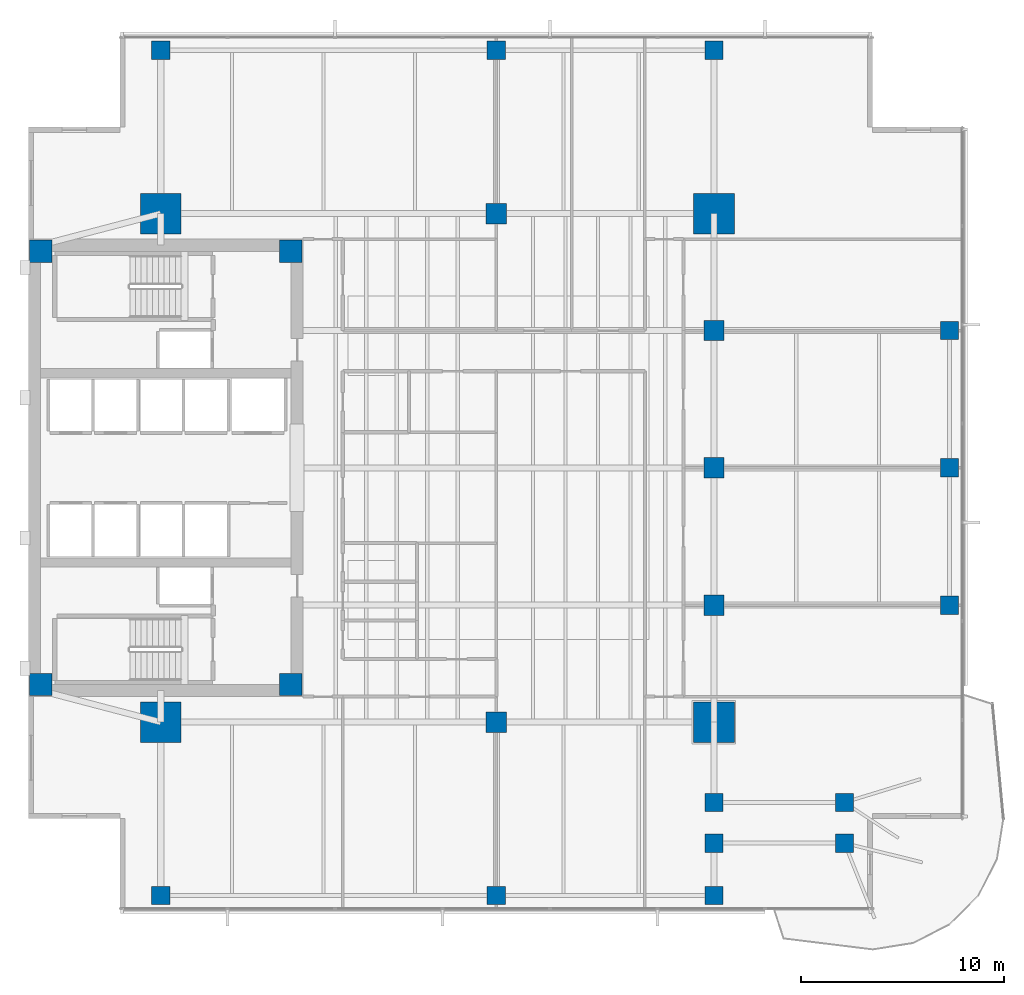
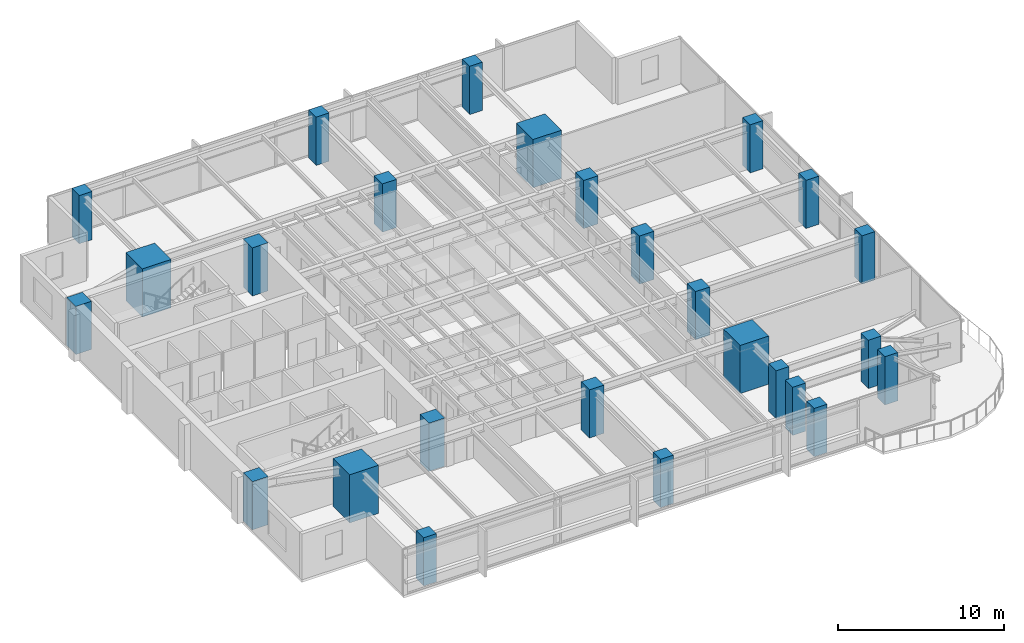
# One storey, part 1 of 14: 26 columns.
"""IFC4 building model written with IfcOpenShell, lengths in metres."""

from ifc_helpers import new_model, si_unit, direction, frame, origin, origin_2d, place, context, subcontext, project, spatial, rectangle, extrude, material, material_profile, profile_set, type_object, element, save


model = new_model("IFC4")

# Units and contexts
model_context = context("Model", 3, precision=1e-05, world=origin(), true_north=direction((0.0, 1.0)))
body_context = subcontext(model_context, "Body", "Model", "MODEL_VIEW")
ifc_project = project(units=[si_unit("LENGTHUNIT", "METRE"), si_unit("AREAUNIT", "SQUARE_METRE"), si_unit("VOLUMEUNIT", "CUBIC_METRE"), si_unit("PLANEANGLEUNIT", "RADIAN"), si_unit("MASSUNIT", "GRAM", prefix="KILO")], contexts=[model_context])

# Site, building, storey
site_placement = place(None, origin())
site = spatial("IfcSite", under=ifc_project, at=site_placement, CompositionType="ELEMENT")
building_placement = place(site_placement, origin())
building = spatial("IfcBuilding", under=site, at=building_placement, Name="Kinhvarn Gate Tower", CompositionType="ELEMENT")
storey_placement = place(building_placement, frame((0.0, 0.0, 151.949951171875)))
storey = spatial("IfcBuildingStorey", under=building, at=storey_placement, Name="L40", CompositionType="ELEMENT", Elevation=151.949951171875)

# Columns
ifc_material = material(Name="Concrete C60/75", Category="concrete")
ifc_material_profile_1 = material_profile(ifc_material, rectangle(XDim=2.0, YDim=2.0, at=origin_2d()), Name="RC 2000x2000")
ifc_profile_set_1 = profile_set([ifc_material_profile_1], Name="Concrete C60/75")
column_type_1 = type_object("IfcColumnType", Name="COL-MC-2000", PredefinedType="COLUMN", material=ifc_profile_set_1)
for number, where, z_axis, x_axis, name in (
    (1, (11.0, 12.75, 0.0), (0.0, 0.0, 1.0), (1.0, 0.0, 0.0), "Column MC1-L40 (MC-20)"),
    (2, (11.0, 37.75, 0.0), (0.0, 0.0, 1.0), (1.0, 0.0, 0.0), "Column MC4-L40 (MC-20)"),
    (3, (38.199951171875, 12.75, 0.0), (0.0, 0.0, 1.0), (1.0, 0.0, 0.0), "Column MC2-L40 (MC-20)"),
    (4, (38.199951171875, 37.75, 0.0), (0.0, 0.0, 1.0), (1.0, 0.0, 0.0), "Column MC3-L40 (MC-20)"),
):
    element("IfcColumn", number, at=place(storey_placement, frame(where, z_axis=z_axis, x_axis=x_axis)), inside=storey, type_object=column_type_1, Name=name, PredefinedType="COLUMN", context=body_context, shape_type="SweptSolid", body=[
        extrude(rectangle(XDim=2.0, YDim=2.0, at=origin_2d()), origin(), (0.0, 0.0, 1.0), 3.550048828125),
    ])
ifc_material_profile_2 = material_profile(ifc_material, rectangle(XDim=1.0, YDim=1.0, at=origin_2d()), Name="RC 1000x1000")
ifc_profile_set_2 = profile_set([ifc_material_profile_2], Name="Concrete C60/75")
column_type_2 = type_object("IfcColumnType", Name="COL-RC-1000", PredefinedType="COLUMN", material=ifc_profile_set_2)
for number, where, z_axis, x_axis, name in (
    (5, (27.5, 12.75, 0.0), (0.0, 0.0, 1.0), (1.0, 0.0, 0.0), "Column SP27-S-L40 (C-100)"),
    (6, (27.5, 37.75, 0.0), (0.0, 0.0, 1.0), (1.0, 0.0, 0.0), "Column SP27-N-L40 (C-100)"),
    (7, (38.199951171875, 18.5, 0.0), (0.0, 0.0, 1.0), (1.0, 0.0, 0.0), "Column SP38-E1-L40 (C-100)"),
    (8, (38.199951171875, 25.25, 0.0), (0.0, 0.0, 1.0), (1.0, 0.0, 0.0), "Column SP38-E2-L40 (C-100)"),
    (9, (38.199951171875, 32.0, 0.0), (0.0, 0.0, 1.0), (1.0, 0.0, 0.0), "Column SP38-E3-L40 (C-100)"),
):
    element("IfcColumn", number, at=place(storey_placement, frame(where, z_axis=z_axis, x_axis=x_axis)), inside=storey, type_object=column_type_2, Name=name, PredefinedType="COLUMN", context=body_context, shape_type="SweptSolid", body=[
        extrude(rectangle(XDim=1.0, YDim=1.0, at=origin_2d()), origin(), (0.0, 0.0, 1.0), 3.550048828125),
    ])
ifc_material_profile_3 = material_profile(ifc_material, rectangle(XDim=0.89990234375, YDim=0.89990234375, at=origin_2d()), Name="RC 900x900")
ifc_profile_set_3 = profile_set([ifc_material_profile_3], Name="Concrete C60/75")
column_type_3 = type_object("IfcColumnType", Name="COL-RC-900", PredefinedType="COLUMN", material=ifc_profile_set_3)
for number, where, z_axis, x_axis, name in (
    (10, (38.199951171875, 6.800048828125, 0.0), (0.0, 0.0, 1.0), (1.0, 0.0, 0.0), "Column CS-ANC68-L40 (C-090)"),
    (11, (38.199951171875, 8.800048828125, 0.0), (0.0, 0.0, 1.0), (1.0, 0.0, 0.0), "Column CS-ANC88-L40 (C-090)"),
    (12, (44.6201171875, 6.800048828125, 0.0), (0.0, 0.0, 1.0), (1.0, 0.0, 0.0), "Column CS-SE2-L40 (C-090)"),
    (13, (44.6201171875, 8.800048828125, 0.0), (0.0, 0.0, 1.0), (1.0, 0.0, 0.0), "Column CS-SE2B-L40 (C-090)"),
    (14, (49.780029296875, 18.5, 0.0), (0.0, 0.0, 1.0), (1.0, 0.0, 0.0), "Column CE-1-L40 (C-090)"),
    (15, (49.780029296875, 25.25, 0.0), (0.0, 0.0, 1.0), (1.0, 0.0, 0.0), "Column CE-2-L40 (C-090)"),
    (16, (49.780029296875, 32.0, 0.0), (0.0, 0.0, 1.0), (1.0, 0.0, 0.0), "Column CE-3-L40 (C-090)"),
    (17, (11.0, 4.219970703125, 0.0), (0.0, 0.0, 1.0), (1.0, 0.0, 0.0), "Column CS-0-L40 (C-090)"),
    (18, (27.5, 4.219970703125, 0.0), (0.0, 0.0, 1.0), (1.0, 0.0, 0.0), "Column CS-1-L40 (C-090)"),
    (19, (38.199951171875, 4.219970703125, 0.0), (0.0, 0.0, 1.0), (1.0, 0.0, 0.0), "Column CS-2-L40 (C-090)"),
    (20, (11.0, 45.780029296875, 0.0), (0.0, 0.0, 1.0), (1.0, 0.0, 0.0), "Column CN-0-L40 (C-090)"),
    (21, (27.5, 45.780029296875, 0.0), (0.0, 0.0, 1.0), (1.0, 0.0, 0.0), "Column CN-1-L40 (C-090)"),
    (22, (38.199951171875, 45.780029296875, 0.0), (0.0, 0.0, 1.0), (1.0, 0.0, 0.0), "Column CN-2-L40 (C-090)"),
):
    element("IfcColumn", number, at=place(storey_placement, frame(where, z_axis=z_axis, x_axis=x_axis)), inside=storey, type_object=column_type_3, Name=name, PredefinedType="COLUMN", context=body_context, shape_type="SweptSolid", body=[
        extrude(rectangle(XDim=0.89990234375, YDim=0.89990234375, at=origin_2d()), origin(), (0.0, 0.0, 1.0), 3.550048828125),
    ])
ifc_material_profile_4 = material_profile(ifc_material, rectangle(XDim=1.10009765625, YDim=1.10009765625, at=origin_2d()), Name="RC 1100x1100")
ifc_profile_set_4 = profile_set([ifc_material_profile_4], Name="Concrete C60/75")
column_type_4 = type_object("IfcColumnType", Name="PIL-RC-1100", PredefinedType="PILASTER", material=ifc_profile_set_4)
for number, where, z_axis, x_axis, name in (
    (23, (5.10009765625, 14.60009765625, 0.0), (0.0, 0.0, 1.0), (1.0, 0.0, 0.0), "Column CC-SW-L40 (CP-110)"),
    (24, (5.10009765625, 35.89990234375, 0.0), (0.0, 0.0, 1.0), (1.0, 0.0, 0.0), "Column CC-NW-L40 (CP-110)"),
    (25, (17.39990234375, 14.60009765625, 0.0), (0.0, 0.0, 1.0), (1.0, 0.0, 0.0), "Column CC-SE-L40 (CP-110)"),
    (26, (17.39990234375, 35.89990234375, 0.0), (0.0, 0.0, 1.0), (1.0, 0.0, 0.0), "Column CC-NE-L40 (CP-110)"),
):
    element("IfcColumn", number, at=place(storey_placement, frame(where, z_axis=z_axis, x_axis=x_axis)), inside=storey, type_object=column_type_4, Name=name, PredefinedType="PILASTER", context=body_context, shape_type="SweptSolid", body=[
        extrude(rectangle(XDim=1.10009765625, YDim=1.10009765625, at=origin_2d()), origin(), (0.0, 0.0, 1.0), 3.550048828125),
    ])

save(model, "model.ifc")
